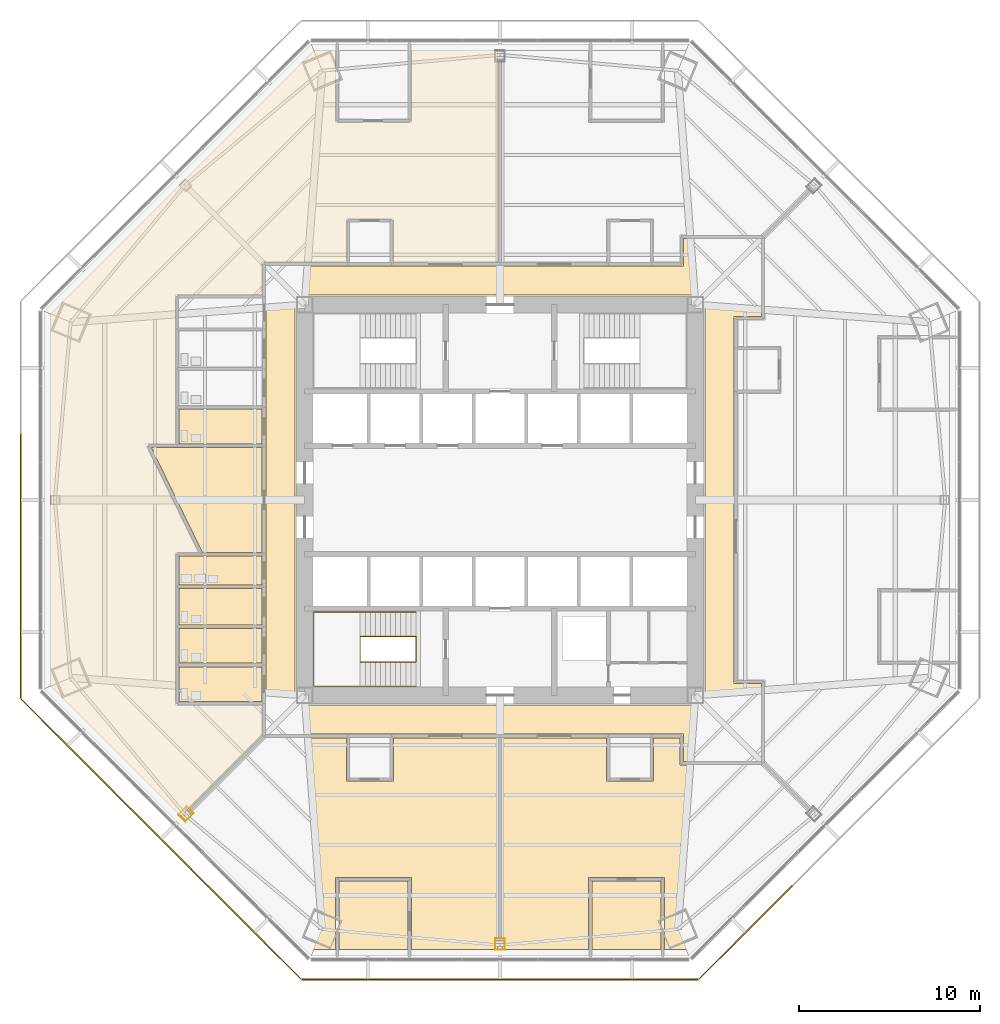
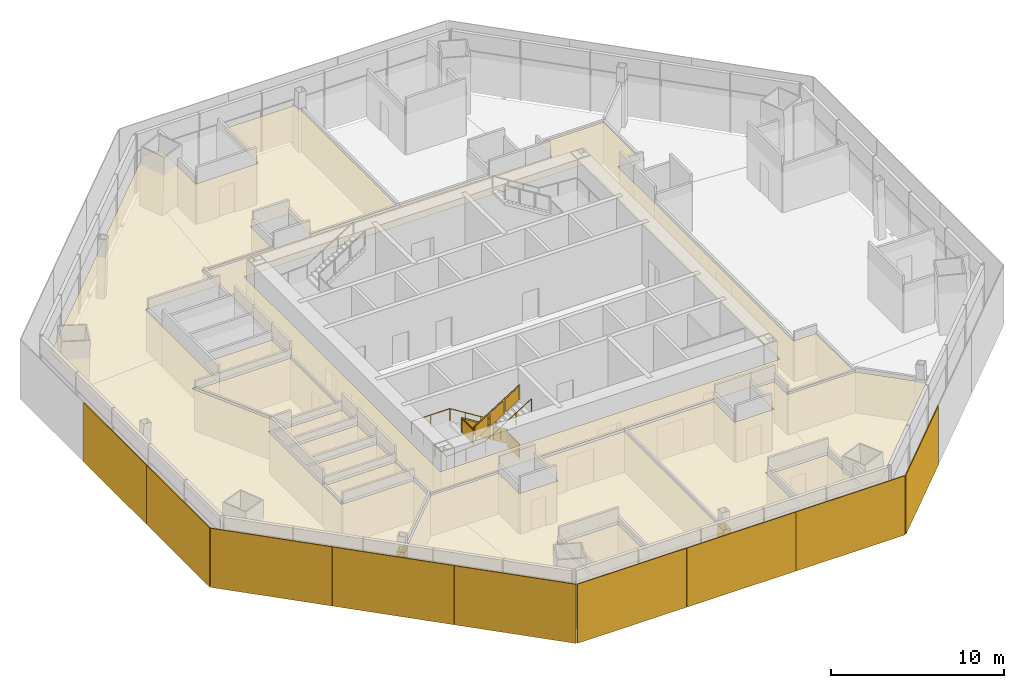
# One storey, part 14 of 17: 14 coverings, 9 shading devices, 2 railings.
"""IFC4 building model written with IfcOpenShell, lengths in metres."""

from ifc_helpers import new_model, si_unit, direction, frame, origin, origin_2d, place, context, subcontext, project, spatial, polyline, rectangle, circle, outline, extrude, source, transform, mapped, material, layer, layer_set, type_object, type_shapes, element, save


model = new_model("IFC4")

# Units and contexts
model_context = context("Model", 3, precision=1e-05, world=origin(), true_north=direction((0.0, 1.0)))
body_context = subcontext(model_context, "Body", "Model", "MODEL_VIEW")
ifc_project = project(units=[si_unit("LENGTHUNIT", "METRE"), si_unit("AREAUNIT", "SQUARE_METRE"), si_unit("VOLUMEUNIT", "CUBIC_METRE"), si_unit("PLANEANGLEUNIT", "RADIAN"), si_unit("MASSUNIT", "GRAM", prefix="KILO")], contexts=[model_context])

# Site, building, storey
site_placement = place(None, origin())
site = spatial("IfcSite", under=ifc_project, at=site_placement, CompositionType="ELEMENT")
building_placement = place(site_placement, origin())
building = spatial("IfcBuilding", under=site, at=building_placement, Name="Mashrafa Tower", CompositionType="ELEMENT")
storey_placement = place(building_placement, frame((0.0, 0.0, 91.800048828125)))
storey = spatial("IfcBuildingStorey", under=building, at=storey_placement, Name="L20", CompositionType="ELEMENT", Elevation=91.800048828125)

# Coverings
ifc_material_1 = material(Name="Gypsum board")
ifc_layer_1 = layer(ifc_material_1, 0.014892578125)
ifc_layer_set_1 = layer_set([ifc_layer_1], Name="Column casing plasterboard 15")
covering_type_1 = type_object("IfcCoveringType", Name="Column casing plasterboard 15", PredefinedType="CLADDING", material=ifc_layer_set_1)
covering_1_placement = place(storey_placement, origin())
element("IfcCovering", 1, at=covering_1_placement, inside=storey, type_object=covering_type_1, Name="Column casing L20-003", PredefinedType="CLADDING", context=body_context, shape_type="SweptSolid", body=[
    extrude(outline(polyline([(-17.7822265625, -17.407470703125), (-17.3232421875, -16.948486328125), (-16.948486328125, -17.3232421875), (-17.407470703125, -17.7822265625), (-17.7822265625, -17.407470703125)]), holes=[polyline([(-16.9697265625, -17.3232421875), (-17.3232421875, -16.9697265625), (-17.760986328125, -17.407470703125), (-17.407470703125, -17.760986328125), (-16.9697265625, -17.3232421875)])]), origin(), (0.0, 0.0, 1.0), 3.17919921875),
])
covering_2_placement = place(storey_placement, origin())
element("IfcCovering", 2, at=covering_2_placement, inside=storey, type_object=covering_type_1, Name="Column casing L20-004", PredefinedType="CLADDING", context=body_context, shape_type="SweptSolid", body=[
    extrude(outline(polyline([(-0.264892578125, -24.23388671875), (0.264892578125, -24.23388671875), (0.264892578125, -24.8828125), (-0.264892578125, -24.8828125), (-0.264892578125, -24.23388671875)]), holes=[polyline([(0.25, -24.867919921875), (0.25, -24.248779296875), (-0.25, -24.248779296875), (-0.25, -24.867919921875), (0.25, -24.867919921875)])]), origin(), (0.0, 0.0, 1.0), 3.06494140625),
])

# Railings
ifc_material_2 = material(Name="Steel guard with glass infill", Category="steel")
railing_type_1 = type_object("IfcRailingType", Name="Stair guard 1100", PredefinedType="GUARDRAIL", material=ifc_material_2)
railing_1_placement = place(storey_placement, frame((-4.64990234375, -8.949951171875, 0.0)))
element("IfcRailing", 3, at=railing_1_placement, inside=storey, type_object=railing_type_1, Name="Stair S3 guard L20", PredefinedType="GUARDRAIL", context=body_context, shape_type="SweptSolid", body=[
    extrude(circle(Radius=0.02392578125, at=origin_2d()), frame((0.0, 0.0, 1.076171875), z_axis=(0.0, 1.0, 0.0), x_axis=(-1.0, 0.0, 0.0)), (0.0, 0.0, 1.0), 1.39990234375),
    extrude(circle(Radius=0.02392578125, at=origin_2d()), frame((0.0, 1.39990234375, 1.076171875), z_axis=(0.0, 0.0, 1.0), x_axis=(1.0, 0.0, 0.0)), (0.0, 0.0, 1.0), 0.175048828125),
    extrude(circle(Radius=0.02392578125, at=origin_2d()), frame((0.0, 1.39990234375, 1.2509765625), z_axis=(-0.848028513186, 0.0, 0.529950602248), x_axis=(0.0, -1.0, 0.0)), (0.0, 0.0, 1.0), 3.632080078125),
    extrude(circle(Radius=0.02392578125, at=origin_2d()), frame((-3.080078125, 1.39990234375, 3.17578125), z_axis=(0.0, -1.0, 0.0), x_axis=(1.0, 0.0, 0.0)), (0.0, 0.0, 1.0), 1.39990234375),
    extrude(circle(Radius=0.02392578125, at=origin_2d()), frame((-3.080078125, 0.0, 3.17578125), z_axis=(0.0, 0.0, 1.0), x_axis=(1.0, 0.0, 0.0)), (0.0, 0.0, 1.0), 0.175048828125),
    extrude(circle(Radius=0.02392578125, at=origin_2d()), frame((-3.080078125, 0.0, 3.35107421875), z_axis=(0.847998304005, 0.0, 0.529998940003), x_axis=(0.0, 1.0, 0.0)), (0.0, 0.0, 1.0), 3.632080078125),
    extrude(circle(Radius=0.02099609375, at=origin_2d()), origin(), (0.0, 0.0, 1.0), 1.052001953125),
    extrude(circle(Radius=0.02099609375, at=origin_2d()), frame((0.0, 1.39990234375, 0.0)), (0.0, 0.0, 1.0), 1.052001953125),
    extrude(circle(Radius=0.02099609375, at=origin_2d()), frame((0.0, 1.39990234375, 0.175048828125)), (0.0, 0.0, 1.0), 1.052001953125),
    extrude(circle(Radius=0.02099609375, at=origin_2d()), frame((-1.026611328125, 1.39990234375, 0.816650390625)), (0.0, 0.0, 1.0), 1.052001953125),
    extrude(circle(Radius=0.02099609375, at=origin_2d()), frame((-2.053466796875, 1.39990234375, 1.458251953125)), (0.0, 0.0, 1.0), 1.052001953125),
    extrude(circle(Radius=0.02099609375, at=origin_2d()), frame((-3.080078125, 1.39990234375, 2.099853515625)), (0.0, 0.0, 1.0), 1.052001953125),
    extrude(circle(Radius=0.02099609375, at=origin_2d()), frame((-3.080078125, 0.0, 2.099853515625)), (0.0, 0.0, 1.0), 1.052001953125),
    extrude(circle(Radius=0.02099609375, at=origin_2d()), frame((-3.080078125, 0.0, 2.27490234375)), (0.0, 0.0, 1.0), 1.052001953125),
    extrude(circle(Radius=0.02099609375, at=origin_2d()), frame((-2.053466796875, 0.0, 2.91650390625)), (0.0, 0.0, 1.0), 1.052001953125),
    extrude(circle(Radius=0.02099609375, at=origin_2d()), frame((-1.026611328125, 0.0, 3.558349609375)), (0.0, 0.0, 1.0), 1.052001953125),
    extrude(circle(Radius=0.02099609375, at=origin_2d()), frame((0.0, 0.0, 4.199951171875)), (0.0, 0.0, 1.0), 1.052001953125),
    extrude(outline(polyline([(0.071044921875, 0.050048828125), (1.328857421875, 0.050048828125), (1.328857421875, 1.001953125), (0.071044921875, 1.001953125), (0.071044921875, 0.050048828125)])), frame((0.006103515625, 0.0, 0.0), z_axis=(1.0, 0.0, 0.0), x_axis=(0.0, 1.0, 0.0)), (0.0, 0.0, 1.0), 0.011962890625),
    extrude(outline(polyline([(0.071044921875, 0.094482421875), (0.955810546875, 0.647216796875), (0.955810546875, 1.59912109375), (0.071044921875, 1.04638671875), (0.071044921875, 0.094482421875)])), frame((0.0, 1.406005859375, 0.175048828125), z_axis=(0.0, 1.0, 0.0), x_axis=(-1.0, 0.0, 0.0)), (0.0, 0.0, 1.0), 0.011962890625),
    extrude(outline(polyline([(1.09765625, 0.736083984375), (1.982421875, 1.288818359375), (1.982421875, 2.24072265625), (1.09765625, 1.68798828125), (1.09765625, 0.736083984375)])), frame((0.0, 1.406005859375, 0.175048828125), z_axis=(0.0, 1.0, 0.0), x_axis=(-1.0, 0.0, 0.0)), (0.0, 0.0, 1.0), 0.011962890625),
    extrude(outline(polyline([(2.124267578125, 1.377685546875), (3.009033203125, 1.930419921875), (3.009033203125, 2.88232421875), (2.124267578125, 2.32958984375), (2.124267578125, 1.377685546875)])), frame((0.0, 1.406005859375, 0.175048828125), z_axis=(0.0, 1.0, 0.0), x_axis=(-1.0, 0.0, 0.0)), (0.0, 0.0, 1.0), 0.011962890625),
    extrude(outline(polyline([(0.071044921875, 0.050048828125), (1.328857421875, 0.050048828125), (1.328857421875, 1.001953125), (0.071044921875, 1.001953125), (0.071044921875, 0.050048828125)])), frame((-3.086181640625, 1.39990234375, 2.099853515625), z_axis=(-1.0, 0.0, 0.0), x_axis=(0.0, -1.0, 0.0)), (0.0, 0.0, 1.0), 0.011962890625),
    extrude(outline(polyline([(0.071044921875, 0.094482421875), (0.955810546875, 0.647216796875), (0.955810546875, 1.599365234375), (0.071044921875, 1.04638671875), (0.071044921875, 0.094482421875)])), frame((-3.080078125, -0.006103515625, 2.27490234375), z_axis=(0.0, -1.0, 0.0), x_axis=(1.0, 0.0, 0.0)), (0.0, 0.0, 1.0), 0.011962890625),
    extrude(outline(polyline([(1.09765625, 0.736083984375), (1.982421875, 1.2890625), (1.982421875, 2.240966796875), (1.09765625, 1.68798828125), (1.09765625, 0.736083984375)])), frame((-3.080078125, -0.006103515625, 2.27490234375), z_axis=(0.0, -1.0, 0.0), x_axis=(1.0, 0.0, 0.0)), (0.0, 0.0, 1.0), 0.011962890625),
    extrude(outline(polyline([(2.124267578125, 1.377685546875), (3.009033203125, 1.9306640625), (3.009033203125, 2.882568359375), (2.124267578125, 2.329833984375), (2.124267578125, 1.377685546875)])), frame((-3.080078125, -0.006103515625, 2.27490234375), z_axis=(0.0, -1.0, 0.0), x_axis=(1.0, 0.0, 0.0)), (0.0, 0.0, 1.0), 0.011962890625),
])
ifc_material_3 = material(Name="Steel", Category="steel")
railing_type_2 = type_object("IfcRailingType", Name="Stair handrail 900", PredefinedType="HANDRAIL", material=ifc_material_3)
railing_2_placement = place(storey_placement, frame((-4.64990234375, -6.199951171875, 0.175048828125)))
element("IfcRailing", 4, at=railing_2_placement, inside=storey, type_object=railing_type_2, Name="Stair S3 handrail L20", PredefinedType="HANDRAIL", context=body_context, shape_type="SweptSolid", body=[
    extrude(circle(Radius=0.02392578125, at=origin_2d()), frame((0.0, 0.0, 0.8759765625), z_axis=(-0.848028513186, 0.0, 0.529950602248), x_axis=(0.0, -1.0, 0.0)), (0.0, 0.0, 1.0), 3.632080078125),
    extrude(circle(Radius=0.02392578125, at=origin_2d()), frame((-3.080078125, 0.0, 2.80078125), z_axis=(-1.0, 0.0, 0.0), x_axis=(0.0, -1.0, 0.0)), (0.0, 0.0, 1.0), 2.570068359375),
    extrude(circle(Radius=0.02392578125, at=origin_2d()), frame((-5.650146484375, 0.0, 2.80078125), z_axis=(0.0, -1.0, 0.0), x_axis=(1.0, 0.0, 0.0)), (0.0, 0.0, 1.0), 4.10009765625),
    extrude(circle(Radius=0.02392578125, at=origin_2d()), frame((-5.650146484375, -4.10009765625, 2.80078125), z_axis=(0.997688514158, 0.0, 0.067953136188), x_axis=(0.0, 1.0, 0.0)), (0.0, 0.0, 1.0), 2.575927734375),
    extrude(circle(Radius=0.02392578125, at=origin_2d()), frame((-3.080078125, -4.10009765625, 2.9755859375), z_axis=(0.847998304005, 0.0, 0.529998940003), x_axis=(0.0, 1.0, 0.0)), (0.0, 0.0, 1.0), 3.632080078125),
    extrude(circle(Radius=0.02099609375, at=origin_2d()), origin(), (0.0, 0.0, 1.0), 0.851806640625),
    extrude(circle(Radius=0.02099609375, at=origin_2d()), frame((-1.026611328125, 0.0, 0.6416015625)), (0.0, 0.0, 1.0), 0.851806640625),
    extrude(circle(Radius=0.02099609375, at=origin_2d()), frame((-2.053466796875, 0.0, 1.283203125)), (0.0, 0.0, 1.0), 0.851806640625),
    extrude(circle(Radius=0.02099609375, at=origin_2d()), frame((-3.080078125, 0.0, 1.9248046875)), (0.0, 0.0, 1.0), 0.851806640625),
    extrude(circle(Radius=0.02099609375, at=origin_2d()), frame((-4.365234375, 0.0, 1.9248046875)), (0.0, 0.0, 1.0), 0.851806640625),
    extrude(circle(Radius=0.02099609375, at=origin_2d()), frame((-5.650146484375, 0.0, 1.9248046875)), (0.0, 0.0, 1.0), 0.851806640625),
    extrude(circle(Radius=0.02099609375, at=origin_2d()), frame((-5.650146484375, -1.36669921875, 1.9248046875)), (0.0, 0.0, 1.0), 0.851806640625),
    extrude(circle(Radius=0.02099609375, at=origin_2d()), frame((-5.650146484375, -2.7333984375, 1.9248046875)), (0.0, 0.0, 1.0), 0.851806640625),
    extrude(circle(Radius=0.02099609375, at=origin_2d()), frame((-5.650146484375, -4.10009765625, 1.9248046875)), (0.0, 0.0, 1.0), 0.851806640625),
    extrude(circle(Radius=0.02099609375, at=origin_2d()), frame((-4.365234375, -4.10009765625, 2.01220703125)), (0.0, 0.0, 1.0), 0.851806640625),
    extrude(circle(Radius=0.02099609375, at=origin_2d()), frame((-3.080078125, -4.10009765625, 2.099853515625)), (0.0, 0.0, 1.0), 0.851806640625),
    extrude(circle(Radius=0.02099609375, at=origin_2d()), frame((-2.053466796875, -4.10009765625, 2.741455078125)), (0.0, 0.0, 1.0), 0.851806640625),
    extrude(circle(Radius=0.02099609375, at=origin_2d()), frame((-1.026611328125, -4.10009765625, 3.38330078125)), (0.0, 0.0, 1.0), 0.851806640625),
    extrude(circle(Radius=0.02099609375, at=origin_2d()), frame((0.0, -4.10009765625, 4.02490234375)), (0.0, 0.0, 1.0), 0.851806640625),
])

# Coverings
ifc_material_4 = material(Name="Mineral fibre tile on suspension grid")
ifc_layer_2 = layer(ifc_material_4, 0.014892578125)
ifc_layer_set_2 = layer_set([ifc_layer_2], Name="Suspended ceiling mineral tile 15")
covering_type_2 = type_object("IfcCoveringType", Name="Suspended ceiling mineral tile 15", PredefinedType="CEILING", material=ifc_layer_set_2)
covering_3_placement = place(storey_placement, frame((0.0, 0.0, 2.89990234375)))
element("IfcCovering", 5, at=covering_3_placement, inside=storey, type_object=covering_type_2, Name="Ceiling Office Corridor L20", PredefinedType="CEILING", context=body_context, shape_type="SweptSolid", body=[
    extrude(outline(polyline([(14.449951171875, -10.14990234375), (14.449951171875, -14.449951171875), (10.14990234375, -14.449951171875), (10.14990234375, -12.949951171875), (-12.949951171875, -12.949951171875), (-12.949951171875, 12.949951171875), (10.14990234375, 12.949951171875), (10.14990234375, 14.449951171875), (14.449951171875, 14.449951171875), (14.449951171875, 10.14990234375), (12.949951171875, 10.14990234375), (12.949951171875, -10.14990234375), (14.449951171875, -10.14990234375)]), holes=[polyline([(11.35009765625, 11.35009765625), (-11.35009765625, 11.35009765625), (-11.35009765625, -11.35009765625), (11.35009765625, -11.35009765625), (11.35009765625, 11.35009765625)])]), origin(), (0.0, 0.0, 1.0), 0.01513671875),
])
covering_4_placement = place(storey_placement, frame((0.0, 0.0, 2.89990234375)))
element("IfcCovering", 6, at=covering_4_placement, inside=storey, type_object=covering_type_2, Name="Ceiling WC Female L20 N", PredefinedType="CEILING", context=body_context, shape_type="SweptSolid", body=[
    extrude(outline(polyline([(-17.75, 3.10009765625), (-17.75, 5.02490234375), (-13.14990234375, 5.02490234375), (-13.14990234375, 3.10009765625), (-17.75, 3.10009765625)])), origin(), (0.0, 0.0, 1.0), 0.01513671875),
])
covering_5_placement = place(storey_placement, frame((0.0, 0.0, 2.89990234375)))
element("IfcCovering", 7, at=covering_5_placement, inside=storey, type_object=covering_type_2, Name="Ceiling WC Female L20 S", PredefinedType="CEILING", context=body_context, shape_type="SweptSolid", body=[
    extrude(outline(polyline([(-17.75, -11.14990234375), (-17.75, -9.22509765625), (-13.14990234375, -9.22509765625), (-13.14990234375, -11.14990234375), (-17.75, -11.14990234375)])), origin(), (0.0, 0.0, 1.0), 0.01513671875),
])
covering_6_placement = place(storey_placement, frame((0.0, 0.0, 2.89990234375)))
element("IfcCovering", 8, at=covering_6_placement, inside=storey, type_object=covering_type_2, Name="Ceiling WC Male L20 S", PredefinedType="CEILING", context=body_context, shape_type="SweptSolid", body=[
    extrude(outline(polyline([(-17.75, -9.02490234375), (-17.75, -7.10009765625), (-13.14990234375, -7.10009765625), (-13.14990234375, -9.02490234375), (-17.75, -9.02490234375)])), origin(), (0.0, 0.0, 1.0), 0.01513671875),
])
covering_7_placement = place(storey_placement, frame((0.0, 0.0, 2.89990234375)))
element("IfcCovering", 9, at=covering_7_placement, inside=storey, type_object=covering_type_2, Name="Ceiling Accessible WC L20 S", PredefinedType="CEILING", context=body_context, shape_type="SweptSolid", body=[
    extrude(outline(polyline([(-17.75, -6.89990234375), (-17.75, -4.89990234375), (-13.14990234375, -4.89990234375), (-13.14990234375, -6.89990234375), (-17.75, -6.89990234375)])), origin(), (0.0, 0.0, 1.0), 0.01513671875),
])
covering_8_placement = place(storey_placement, frame((0.0, 0.0, 2.89990234375)))
element("IfcCovering", 10, at=covering_8_placement, inside=storey, type_object=covering_type_2, Name="Ceiling Ablution Room L20 S", PredefinedType="CEILING", context=body_context, shape_type="SweptSolid", body=[
    extrude(outline(polyline([(-17.75, -4.699951171875), (-17.75, -3.10009765625), (-13.14990234375, -3.10009765625), (-13.14990234375, -4.699951171875), (-17.75, -4.699951171875)])), origin(), (0.0, 0.0, 1.0), 0.01513671875),
])
covering_9_placement = place(storey_placement, frame((0.0, 0.0, 2.89990234375)))
element("IfcCovering", 11, at=covering_9_placement, inside=storey, type_object=covering_type_2, Name="Ceiling Musallah Prayer Room 20", PredefinedType="CEILING", context=body_context, shape_type="SweptSolid", body=[
    extrude(outline(polyline([(-16.461181640625, -2.89990234375), (-19.2900390625, 2.89990234375), (-13.14990234375, 2.89990234375), (-13.14990234375, -2.89990234375), (-16.461181640625, -2.89990234375)])), origin(), (0.0, 0.0, 1.0), 0.01513671875),
])
covering_10_placement = place(storey_placement, frame((0.0, 0.0, 2.89990234375)))
element("IfcCovering", 12, at=covering_10_placement, inside=storey, type_object=covering_type_2, Name="Ceiling Manager's Office 20-SE", PredefinedType="CEILING", context=body_context, shape_type="SweptSolid", body=[
    extrude(outline(polyline([(5.10009765625, -21.06787109375), (8.89990234375, -21.06787109375), (8.89990234375, -24.867919921875), (5.10009765625, -24.867919921875), (5.10009765625, -21.06787109375)])), origin(), (0.0, 0.0, 1.0), 0.01513671875),
])
covering_11_placement = place(storey_placement, frame((0.0, 0.0, 2.89990234375)))
element("IfcCovering", 13, at=covering_11_placement, inside=storey, type_object=covering_type_2, Name="Ceiling Manager's Office 20-SW", PredefinedType="CEILING", context=body_context, shape_type="SweptSolid", body=[
    extrude(outline(polyline([(-8.89990234375, -21.06787109375), (-5.10009765625, -21.06787109375), (-5.10009765625, -24.867919921875), (-8.89990234375, -24.867919921875), (-8.89990234375, -21.06787109375)])), origin(), (0.0, 0.0, 1.0), 0.01513671875),
])
covering_12_placement = place(storey_placement, frame((0.0, 0.0, 2.89990234375)))
element("IfcCovering", 14, at=covering_12_placement, inside=storey, type_object=covering_type_2, Name="Ceiling Office Suite 20-NW", PredefinedType="CEILING", context=body_context, shape_type="SweptSolid", body=[
    extrude(outline(polyline([(-13.14990234375, -13.008544921875), (-17.65478515625, -17.513427734375), (-24.867919921875, -10.300537109375), (-24.867919921875, 10.300537109375), (-10.300537109375, 24.867919921875), (-9.10009765625, 24.867919921875), (-9.10009765625, 20.867919921875), (-4.89990234375, 20.867919921875), (-4.89990234375, 24.867919921875), (-0.10009765625, 24.867919921875), (-0.10009765625, 13.14990234375), (-5.89990234375, 13.14990234375), (-5.89990234375, 15.550048828125), (-8.5, 15.550048828125), (-8.5, 13.14990234375), (-13.14990234375, 13.14990234375), (-13.14990234375, 11.35009765625), (-17.949951171875, 11.35009765625), (-17.949951171875, 3.10009765625), (-19.610107421875, 3.10009765625), (-16.68359375, -2.89990234375), (-17.949951171875, -2.89990234375), (-17.949951171875, -11.35009765625), (-13.14990234375, -11.35009765625), (-13.14990234375, -13.008544921875)])), origin(), (0.0, 0.0, 1.0), 0.01513671875),
])
covering_13_placement = place(storey_placement, frame((0.0, 0.0, 2.89990234375)))
element("IfcCovering", 15, at=covering_13_placement, inside=storey, type_object=covering_type_2, Name="Ceiling Office Suite 20-SE", PredefinedType="CEILING", context=body_context, shape_type="SweptSolid", body=[
    extrude(outline(polyline([(14.508544921875, -14.64990234375), (17.513427734375, -17.65478515625), (10.300537109375, -24.867919921875), (9.10009765625, -24.867919921875), (9.10009765625, -20.867919921875), (4.89990234375, -20.867919921875), (4.89990234375, -24.867919921875), (0.10009765625, -24.867919921875), (0.10009765625, -13.14990234375), (5.89990234375, -13.14990234375), (5.89990234375, -15.550048828125), (8.5, -15.550048828125), (8.5, -13.14990234375), (9.949951171875, -13.14990234375), (9.949951171875, -14.64990234375), (14.508544921875, -14.64990234375)])), origin(), (0.0, 0.0, 1.0), 0.01513671875),
])
covering_14_placement = place(storey_placement, frame((0.0, 0.0, 2.89990234375)))
element("IfcCovering", 16, at=covering_14_placement, inside=storey, type_object=covering_type_2, Name="Ceiling Office Suite 20-SW", PredefinedType="CEILING", context=body_context, shape_type="SweptSolid", body=[
    extrude(outline(polyline([(-0.10009765625, -24.867919921875), (-4.89990234375, -24.867919921875), (-4.89990234375, -20.867919921875), (-9.10009765625, -20.867919921875), (-9.10009765625, -24.867919921875), (-10.300537109375, -24.867919921875), (-17.513427734375, -17.65478515625), (-13.008544921875, -13.14990234375), (-8.5, -13.14990234375), (-8.5, -15.550048828125), (-5.89990234375, -15.550048828125), (-5.89990234375, -13.14990234375), (-0.10009765625, -13.14990234375), (-0.10009765625, -24.867919921875)])), origin(), (0.0, 0.0, 1.0), 0.01513671875),
])

# Shading devices
ifc_material_5 = material(Name="Perforated aluminium plate, eight-point star pattern", Category="aluminium")
ifc_layer_3 = layer(ifc_material_5, 0.06005859375)
ifc_layer_set_3 = layer_set([ifc_layer_3], Name="Mashrabiya screen panel office zone 1, 45 percent open")
shading_device_type = type_object("IfcShadingDeviceType", Name="Mashrabiya screen panel office zone 1, 45 percent open", PredefinedType="SHUTTER", material=ifc_layer_set_3)
shared_shape = source(origin(), body_context, "Body", "SweptSolid", [
    extrude(rectangle(XDim=7.287841796875, YDim=0.06005859375, at=origin_2d()), origin(), (0.0, 0.0, 1.0), 4.179931640625),
])
type_shapes(shading_device_type, [shared_shape])
for number, where, z_axis, x_axis, name in (
    (17, (-26.517822265625, 0.0, -0.14990234375), (0.0, 0.0, 1.0), (0.0, -1.0, 0.0), "Mashrabiya screen L20 west 2"),
    (18, (-26.517822265625, -7.307861328125, -0.14990234375), (0.0, 0.0, 1.0), (0.0, -1.0, 0.0), "Mashrabiya screen L20 west 3"),
    (19, (-23.918212890625, -13.58349609375, -0.14990234375), (0.0, 0.0, 1.0), (0.707106781187, -0.707106781187, 0.0), "Mashrabiya screen L20 south-west 1"),
    (20, (-18.7509765625, -18.7509765625, -0.14990234375), (0.0, 0.0, 1.0), (0.707106781187, -0.707106781187, 0.0), "Mashrabiya screen L20 south-west 2"),
    (21, (-13.58349609375, -23.918212890625, -0.14990234375), (0.0, 0.0, 1.0), (0.707106781187, -0.707106781187, 0.0), "Mashrabiya screen L20 south-west 3"),
    (22, (-7.307861328125, -26.517822265625, -0.14990234375), (0.0, 0.0, 1.0), (1.0, 0.0, 0.0), "Mashrabiya screen L20 south 1"),
    (23, (0.0, -26.517822265625, -0.14990234375), (0.0, 0.0, 1.0), (1.0, 0.0, 0.0), "Mashrabiya screen L20 south 2"),
    (24, (7.307861328125, -26.517822265625, -0.14990234375), (0.0, 0.0, 1.0), (1.0, 0.0, 0.0), "Mashrabiya screen L20 south 3"),
    (25, (13.58349609375, -23.918212890625, -0.14990234375), (0.0, 0.0, 1.0), (0.707106781187, 0.707106781187, 0.0), "Mashrabiya screen L20 south-east 1"),
):
    element("IfcShadingDevice", number, at=place(storey_placement, frame(where, z_axis=z_axis, x_axis=x_axis)), inside=storey, type_object=shading_device_type, Name=name, PredefinedType="SHUTTER", context=body_context, shape_type="MappedRepresentation", body=[
        mapped(shared_shape, transform((0.0, 0.0, 0.0))),
    ])

save(model, "model.ifc")
